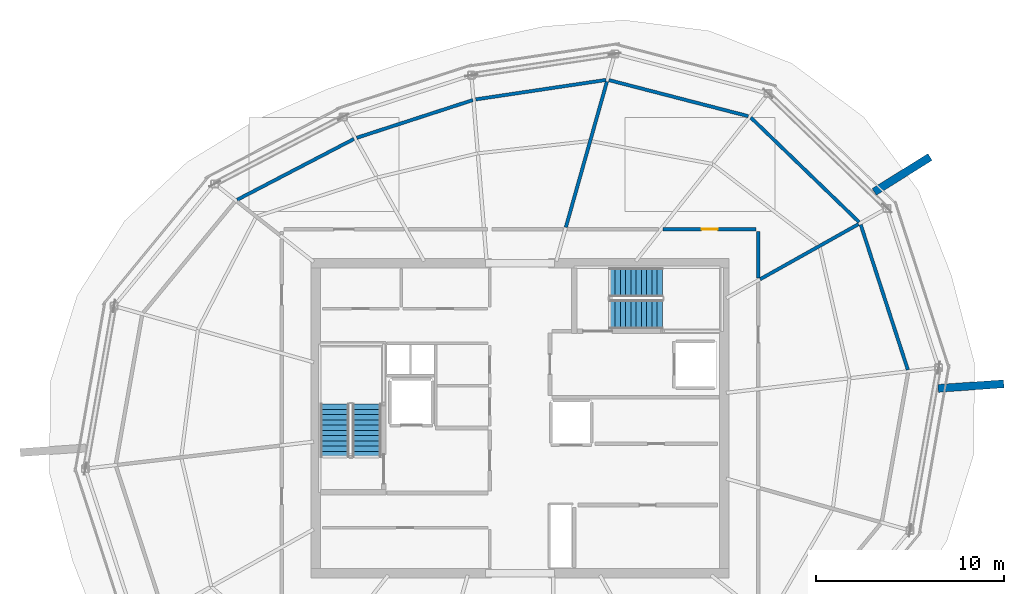
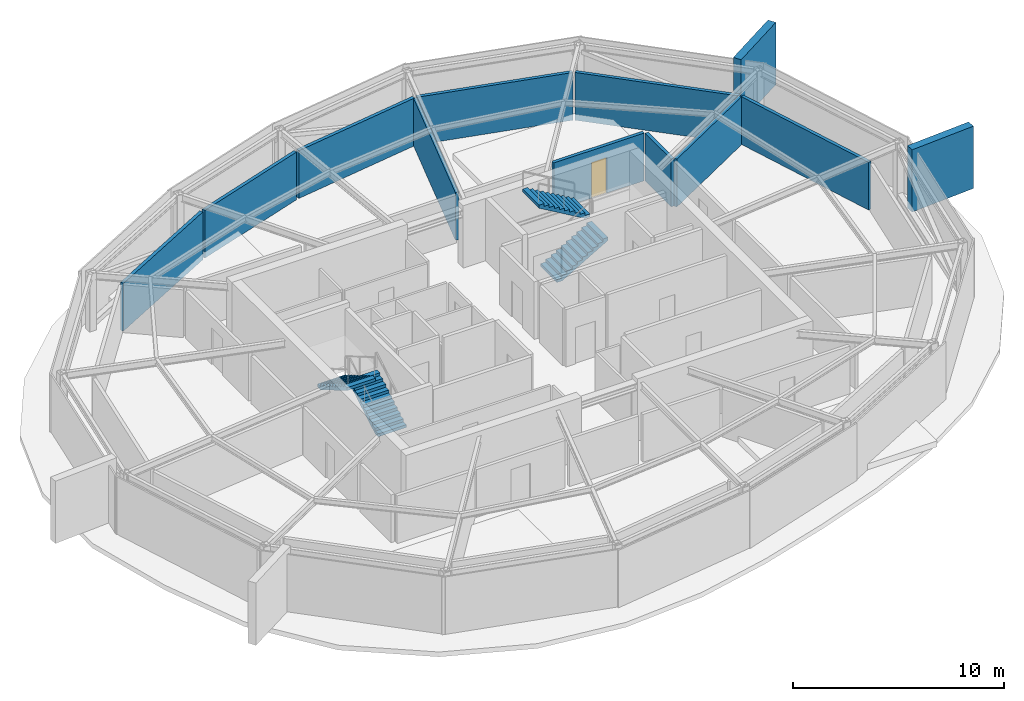
# One storey, part 9 of 10: 12 walls, 4 stair flights, 1 door, 1 opening, 2 elements without a shape of their own.
"""IFC4 building model written with IfcOpenShell, lengths in metres."""

from ifc_helpers import new_model, si_unit, direction, frame, frame_2d, origin, place, context, subcontext, project, spatial, polyline, rectangle, outline, extrude, material, layer, layer_set, type_object, element, fill, aggregate, save


model = new_model("IFC4")

# Units and contexts
model_context = context("Model", 3, precision=1e-05, world=origin(), true_north=direction((0.0, 1.0)))
body_context = subcontext(model_context, "Body", "Model", "MODEL_VIEW")
ifc_project = project(units=[si_unit("LENGTHUNIT", "METRE"), si_unit("AREAUNIT", "SQUARE_METRE"), si_unit("VOLUMEUNIT", "CUBIC_METRE"), si_unit("PLANEANGLEUNIT", "RADIAN"), si_unit("MASSUNIT", "GRAM", prefix="KILO")], contexts=[model_context])

# Site, building, storey
site_placement = place(None, origin())
site = spatial("IfcSite", under=ifc_project, at=site_placement, CompositionType="ELEMENT")
building_placement = place(site_placement, origin())
building = spatial("IfcBuilding", under=site, at=building_placement, Name="Kazma Halo Residences", CompositionType="ELEMENT")
storey_placement = place(building_placement, frame((0.0, 0.0, 366.800048828125)))
storey = spatial("IfcBuildingStorey", under=building, at=storey_placement, Name="L92", CompositionType="ELEMENT", Elevation=366.800048828125)

# Walls
ifc_material_1 = material(Name="Pale Concrete C60/75", Category="concrete")
ifc_layer_1 = layer(ifc_material_1, 0.419921875)
ifc_layer_set_1 = layer_set([ifc_layer_1], Name="Pale Concrete C60/75")
wall_type_1 = type_object("IfcWallType", Name="WL-BLADE-420", PredefinedType="SOLIDWALL", material=ifc_layer_set_1)
for number, where, z_axis, x_axis, name in (
    (1, (67.268798828125, 54.04052734375, 0.0), (0.0, 0.0, 1.0), (0.848033572426, 0.529942506352, 0.0), "L92 pale concrete structural blade fin wall BW-01"),
    (2, (70.666015625, 43.5849609375, 0.0), (0.0, 0.0, 1.0), (0.997564163539, 0.069754853754, 0.0), "L92 pale concrete structural blade fin wall BW-04"),
):
    element("IfcWall", number, at=place(storey_placement, frame(where, z_axis=z_axis, x_axis=x_axis)), inside=storey, type_object=wall_type_1, Name=name, PredefinedType="SOLIDWALL", context=body_context, shape_type="SweptSolid", body=[
        extrude(rectangle(XDim=3.5, YDim=0.419921875, at=frame_2d((1.75, 0.0))), origin(), (0.0, 0.0, 1.0), 3.599853515625),
    ])
ifc_material_2 = material(Name="Acoustic Twin-Stud Gypsum")
ifc_layer_2 = layer(ifc_material_2, 0.179931640625)
ifc_layer_set_2 = layer_set([ifc_layer_2], Name="Acoustic Twin-Stud Gypsum")
wall_type_2 = type_object("IfcWallType", Name="WL-DEM-180", PredefinedType="PARTITIONING", material=ifc_layer_set_2)
wall_1_placement = place(storey_placement, frame((66.466796875, 52.4296875, 0.0), z_axis=(0.0, 0.0, 1.0), x_axis=(-0.719364153135, 0.694633151516, 0.0)))
element("IfcWall", 3, at=wall_1_placement, inside=storey, type_object=wall_type_2, Name="L92 crown plant perimeter wall 00", PredefinedType="PARTITIONING", context=body_context, shape_type="SweptSolid", body=[
    extrude(rectangle(XDim=8.006103515625, YDim=0.179931640625, at=frame_2d((4.0029296875, 0.0))), origin(), (0.0, 0.0, 1.0), 2.760009765625),
])
wall_2_placement = place(storey_placement, frame((60.57275390625, 58.06640625, 0.0), z_axis=(0.0, 0.0, 1.0), x_axis=(-0.968117205342, 0.250497658115, 0.0)))
element("IfcWall", 4, at=wall_2_placement, inside=storey, type_object=wall_type_2, Name="L92 crown plant perimeter wall 01", PredefinedType="PARTITIONING", context=body_context, shape_type="SweptSolid", body=[
    extrude(rectangle(XDim=7.66162109375, YDim=0.179931640625, at=frame_2d((3.830810546875, 0.0))), origin(), (0.0, 0.0, 1.0), 2.760009765625),
])
wall_3_placement = place(storey_placement, frame((52.9990234375, 59.99365234375, 0.0), z_axis=(0.0, 0.0, 1.0), x_axis=(-0.989034336252, -0.147685753256, 0.0)))
element("IfcWall", 5, at=wall_3_placement, inside=storey, type_object=wall_type_2, Name="L92 crown plant perimeter wall 02", PredefinedType="PARTITIONING", context=body_context, shape_type="SweptSolid", body=[
    extrude(rectangle(XDim=7.002685546875, YDim=0.179931640625, at=frame_2d((3.50146484375, 0.0))), origin(), (0.0, 0.0, 1.0), 2.760009765625),
])
wall_4_placement = place(storey_placement, frame((45.91796875, 58.923095703125, 0.0), z_axis=(0.0, 0.0, 1.0), x_axis=(-0.95105283999, -0.309028308649, 0.0)))
element("IfcWall", 6, at=wall_4_placement, inside=storey, type_object=wall_type_2, Name="L92 crown plant perimeter wall 03", PredefinedType="PARTITIONING", context=body_context, shape_type="SweptSolid", body=[
    extrude(rectangle(XDim=6.498779296875, YDim=0.179931640625, at=frame_2d((3.24951171875, 0.0))), origin(), (0.0, 0.0, 1.0), 2.760009765625),
])
wall_5_placement = place(storey_placement, frame((39.590087890625, 56.85302734375, 0.0), z_axis=(0.0, 0.0, 1.0), x_axis=(-0.886949494865, -0.461866423935, 0.0)))
element("IfcWall", 7, at=wall_5_placement, inside=storey, type_object=wall_type_2, Name="L92 crown plant perimeter wall 04", PredefinedType="PARTITIONING", context=body_context, shape_type="SweptSolid", body=[
    extrude(rectangle(XDim=7.002197265625, YDim=0.179931640625, at=frame_2d((3.5009765625, 0.0))), origin(), (0.0, 0.0, 1.0), 2.760009765625),
])
wall_6_placement = place(storey_placement, frame((69.059326171875, 44.571533203125, 0.0), z_axis=(0.0, 0.0, 1.0), x_axis=(-0.309024234991, 0.951054163646, 0.0)))
element("IfcWall", 8, at=wall_6_placement, inside=storey, type_object=wall_type_2, Name="L92 crown plant perimeter wall 15", PredefinedType="PARTITIONING", context=body_context, shape_type="SweptSolid", body=[
    extrude(rectangle(XDim=8.1240234375, YDim=0.179931640625, at=frame_2d((4.06201171875, 0.0))), origin(), (0.0, 0.0, 1.0), 2.760009765625),
])
wall_7_placement = place(storey_placement, frame((50.8642578125, 52.156005859375, 0.0), z_axis=(0.0, 0.0, 1.0), x_axis=(0.271457285698, 0.962450488099, 0.0)))
element("IfcWall", 9, at=wall_7_placement, inside=storey, type_object=wall_type_2, Name="L92 radial partition wall 02", PredefinedType="PARTITIONING", context=body_context, shape_type="SweptSolid", body=[
    extrude(rectangle(XDim=8.0556640625, YDim=0.179931640625, at=frame_2d((4.02783203125, 0.0))), origin(), (0.0, 0.0, 1.0), 2.760009765625),
])
wall_8_placement = place(storey_placement, frame((61.196044921875, 49.39013671875, 0.0), z_axis=(0.0, 0.0, 1.0), x_axis=(0.87249769897, 0.488618220385, 0.0)))
element("IfcWall", 10, at=wall_8_placement, inside=storey, type_object=wall_type_2, Name="L92 radial partition wall 00", PredefinedType="PARTITIONING", context=body_context, shape_type="SweptSolid", body=[
    extrude(rectangle(XDim=6.0068359375, YDim=0.179931640625, at=frame_2d((3.00341796875, 0.0))), origin(), (0.0, 0.0, 1.0), 2.760009765625),
])
wall_9_placement = place(storey_placement, frame((61.10009765625, 49.456298828125, 0.0), z_axis=(0.0, 0.0, 1.0), x_axis=(0.0, 1.0, 0.0)))
element("IfcWall", 11, at=wall_9_placement, inside=storey, type_object=wall_type_2, Name="L92 L92 Lift Machine Mechanical Plant Room corridor wall", PredefinedType="PARTITIONING", context=body_context, shape_type="SweptSolid", body=[
    extrude(rectangle(XDim=2.4736328125, YDim=0.179931640625, at=frame_2d((1.23681640625, 0.0))), origin(), (0.0, 0.0, 1.0), 2.760009765625),
])

# Wall, opening, door
wall_10_placement = place(storey_placement, frame((60.97998046875, 52.050048828125, 0.0), z_axis=(0.0, 0.0, 1.0), x_axis=(-1.0, 0.0, 0.0)))
wall_10 = element("IfcWall", 12, at=wall_10_placement, inside=storey, type_object=wall_type_2, Name="L92 L92 Lift Machine Mechanical Plant Room corridor wall", PredefinedType="PARTITIONING", context=body_context, shape_type="SweptSolid", body=[
    extrude(rectangle(XDim=4.937255859375, YDim=0.179931640625, at=frame_2d((2.46875, 0.0))), origin(), (0.0, 0.0, 1.0), 2.760009765625),
])
opening_placement = place(wall_10_placement, frame((2.043701171875, 0.0, 0.0)))
opening = element("IfcOpeningElement", 13, at=opening_placement, cuts=wall_10, Name="Opening DS-850", PredefinedType="OPENING", context=body_context, shape_type="SweptSolid", body=[
    extrude(rectangle(XDim=0.85009765625, YDim=2.06005859375, at=frame_2d((0.425048828125, 1.030029296875))), frame((0.0, 0.099853515625, 0.0), z_axis=(0.0, -1.0, 0.0), x_axis=(1.0, 0.0, 0.0)), (0.0, 0.0, 1.0), 0.199951171875),
])
ifc_material_3 = material(Name="Painted Steel Access Leaf", Category="steel")
door_type = type_object("IfcDoorType", Name="DR-SVC-850", OperationType="NOTDEFINED", PredefinedType="DOOR", material=ifc_material_3)
door_placement = place(opening_placement, origin())
door = element("IfcDoor", 14, at=door_placement, inside=storey, type_object=door_type, Name="L92 L92 Lift Machine Mechanical Plant Room door", OperationType="SINGLE_SWING_RIGHT", OverallHeight=2.06005859375, OverallWidth=0.85009765625, PredefinedType="DOOR", context=body_context, shape_type="SweptSolid", body=[
    extrude(rectangle(XDim=0.85009765625, YDim=2.06005859375, at=frame_2d((0.425048828125, 1.030029296875))), frame((0.0, 0.02490234375, 0.0), z_axis=(0.0, -1.0, 0.0), x_axis=(1.0, 0.0, 0.0)), (0.0, 0.0, 1.0), 0.050048828125),
])
fill(opening, door)

# Stair, stair flights
ifc_material_4 = material(Name="Concrete C50/60", Category="concrete")
stair_type = type_object("IfcStairType", Name="STR-CRWN", PredefinedType="HALF_TURN_STAIR", material=ifc_material_4)
stair_1_placement = place(storey_placement, origin())
stair_1 = element("IfcStair", 15, at=stair_1_placement, inside=storey, type_object=stair_type, Name="L92 Core exit stair ST-01", PredefinedType="HALF_TURN_STAIR")
stair_flight_type = type_object("IfcStairFlightType", Name="STR-CRWN-FLT", PredefinedType="STRAIGHT", material=ifc_material_4)
stair_flight_1_placement = place(storey_placement, frame((40.27490234375, 39.949951171875, 0.0), z_axis=(0.0, 0.0, 1.0), x_axis=(0.0, 1.0, 0.0)))
stair_flight_1 = element("IfcStairFlight", 16, at=stair_flight_1_placement, type_object=stair_flight_type, Name="ST-01 flight 1", NumberOfRisers=11, NumberOfTreads=10, PredefinedType="STRAIGHT", RiserHeight=0.163636364, TreadLength=0.28, context=body_context, shape_type="SweptSolid", body=[
    extrude(outline(polyline([(0.0, 0.0), (0.0, 0.16357421875), (0.280029296875, 0.16357421875), (0.280029296875, 0.327392578125), (0.56005859375, 0.327392578125), (0.56005859375, 0.490966796875), (0.840087890625, 0.490966796875), (0.840087890625, 0.654541015625), (1.1201171875, 0.654541015625), (1.1201171875, 0.818115234375), (1.39990234375, 0.818115234375), (1.39990234375, 0.98193359375), (1.679931640625, 0.98193359375), (1.679931640625, 1.1455078125), (1.9599609375, 1.1455078125), (1.9599609375, 1.30908203125), (2.239990234375, 1.30908203125), (2.239990234375, 1.47265625), (2.52001953125, 1.47265625), (2.52001953125, 1.636474609375), (2.800048828125, 1.636474609375), (2.800048828125, 1.800048828125), (2.800048828125, 1.462646484375), (0.297119140625, 0.0), (0.0, 0.0)])), frame((0.0, 0.77490234375, 0.0), z_axis=(0.0, -1.0, 0.0), x_axis=(1.0, 0.0, 0.0)), (0.0, 0.0, 1.0), 1.550048828125),
])
stair_flight_2_placement = place(storey_placement, frame((38.574951171875, 42.75, 1.800048828125), z_axis=(0.0, 0.0, 1.0), x_axis=(0.0, -1.0, 0.0)))
stair_flight_2 = element("IfcStairFlight", 17, at=stair_flight_2_placement, type_object=stair_flight_type, Name="ST-01 flight 2", NumberOfRisers=11, NumberOfTreads=10, PredefinedType="STRAIGHT", RiserHeight=0.163636364, TreadLength=0.28, context=body_context, shape_type="SweptSolid", body=[
    extrude(outline(polyline([(0.0, 0.0), (0.0, 0.16357421875), (0.280029296875, 0.16357421875), (0.280029296875, 0.327392578125), (0.56005859375, 0.327392578125), (0.56005859375, 0.490966796875), (0.840087890625, 0.490966796875), (0.840087890625, 0.654541015625), (1.1201171875, 0.654541015625), (1.1201171875, 0.818115234375), (1.39990234375, 0.818115234375), (1.39990234375, 0.98193359375), (1.679931640625, 0.98193359375), (1.679931640625, 1.1455078125), (1.9599609375, 1.1455078125), (1.9599609375, 1.30908203125), (2.239990234375, 1.30908203125), (2.239990234375, 1.47265625), (2.52001953125, 1.47265625), (2.52001953125, 1.636474609375), (2.800048828125, 1.636474609375), (2.800048828125, 1.800048828125), (2.800048828125, 1.462646484375), (0.297119140625, 0.0), (0.0, 0.0)])), frame((0.0, 0.77490234375, 0.0), z_axis=(0.0, -1.0, 0.0), x_axis=(1.0, 0.0, 0.0)), (0.0, 0.0, 1.0), 1.550048828125),
])
aggregate(stair_1, [stair_flight_1, stair_flight_2])

stair_2_placement = place(storey_placement, origin())
stair_2 = element("IfcStair", 18, at=stair_2_placement, inside=storey, type_object=stair_type, Name="L92 Core exit stair ST-02", PredefinedType="HALF_TURN_STAIR")
stair_flight_3_placement = place(storey_placement, frame((53.199951171875, 47.52490234375, 0.0), z_axis=(0.0, 0.0, 1.0), x_axis=(1.0, 0.0, 0.0)))
stair_flight_3 = element("IfcStairFlight", 19, at=stair_flight_3_placement, type_object=stair_flight_type, Name="ST-02 flight 1", NumberOfRisers=11, NumberOfTreads=10, PredefinedType="STRAIGHT", RiserHeight=0.163636364, TreadLength=0.28, context=body_context, shape_type="SweptSolid", body=[
    extrude(outline(polyline([(0.0, 0.0), (0.0, 0.16357421875), (0.280029296875, 0.16357421875), (0.280029296875, 0.327392578125), (0.56005859375, 0.327392578125), (0.56005859375, 0.490966796875), (0.840087890625, 0.490966796875), (0.840087890625, 0.654541015625), (1.1201171875, 0.654541015625), (1.1201171875, 0.818115234375), (1.39990234375, 0.818115234375), (1.39990234375, 0.98193359375), (1.679931640625, 0.98193359375), (1.679931640625, 1.1455078125), (1.9599609375, 1.1455078125), (1.9599609375, 1.30908203125), (2.239990234375, 1.30908203125), (2.239990234375, 1.47265625), (2.52001953125, 1.47265625), (2.52001953125, 1.636474609375), (2.800048828125, 1.636474609375), (2.800048828125, 1.800048828125), (2.800048828125, 1.462646484375), (0.297119140625, 0.0), (0.0, 0.0)])), frame((0.0, 0.77490234375, 0.0), z_axis=(0.0, -1.0, 0.0), x_axis=(1.0, 0.0, 0.0)), (0.0, 0.0, 1.0), 1.550048828125),
])
stair_flight_4_placement = place(storey_placement, frame((56.0, 49.22509765625, 1.800048828125), z_axis=(0.0, 0.0, 1.0), x_axis=(-1.0, 0.0, 0.0)))
stair_flight_4 = element("IfcStairFlight", 20, at=stair_flight_4_placement, type_object=stair_flight_type, Name="ST-02 flight 2", NumberOfRisers=11, NumberOfTreads=10, PredefinedType="STRAIGHT", RiserHeight=0.163636364, TreadLength=0.28, context=body_context, shape_type="SweptSolid", body=[
    extrude(outline(polyline([(0.0, 0.0), (0.0, 0.16357421875), (0.280029296875, 0.16357421875), (0.280029296875, 0.327392578125), (0.56005859375, 0.327392578125), (0.56005859375, 0.490966796875), (0.840087890625, 0.490966796875), (0.840087890625, 0.654541015625), (1.1201171875, 0.654541015625), (1.1201171875, 0.818115234375), (1.39990234375, 0.818115234375), (1.39990234375, 0.98193359375), (1.679931640625, 0.98193359375), (1.679931640625, 1.1455078125), (1.9599609375, 1.1455078125), (1.9599609375, 1.30908203125), (2.239990234375, 1.30908203125), (2.239990234375, 1.47265625), (2.52001953125, 1.47265625), (2.52001953125, 1.636474609375), (2.800048828125, 1.636474609375), (2.800048828125, 1.800048828125), (2.800048828125, 1.462646484375), (0.297119140625, 0.0), (0.0, 0.0)])), frame((0.0, 0.77490234375, 0.0), z_axis=(0.0, -1.0, 0.0), x_axis=(1.0, 0.0, 0.0)), (0.0, 0.0, 1.0), 1.550048828125),
])
aggregate(stair_2, [stair_flight_3, stair_flight_4])

save(model, "model.ifc")
